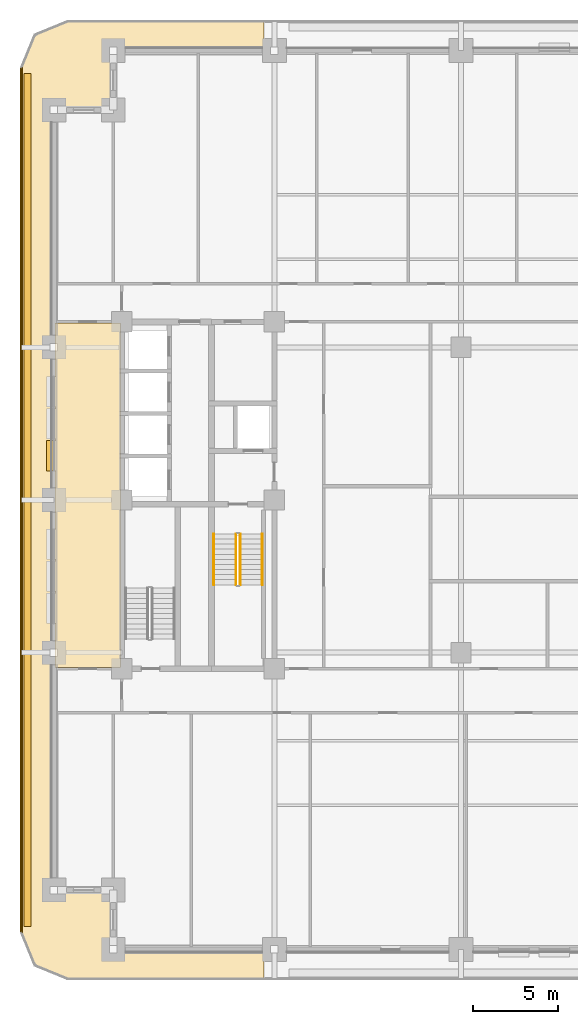
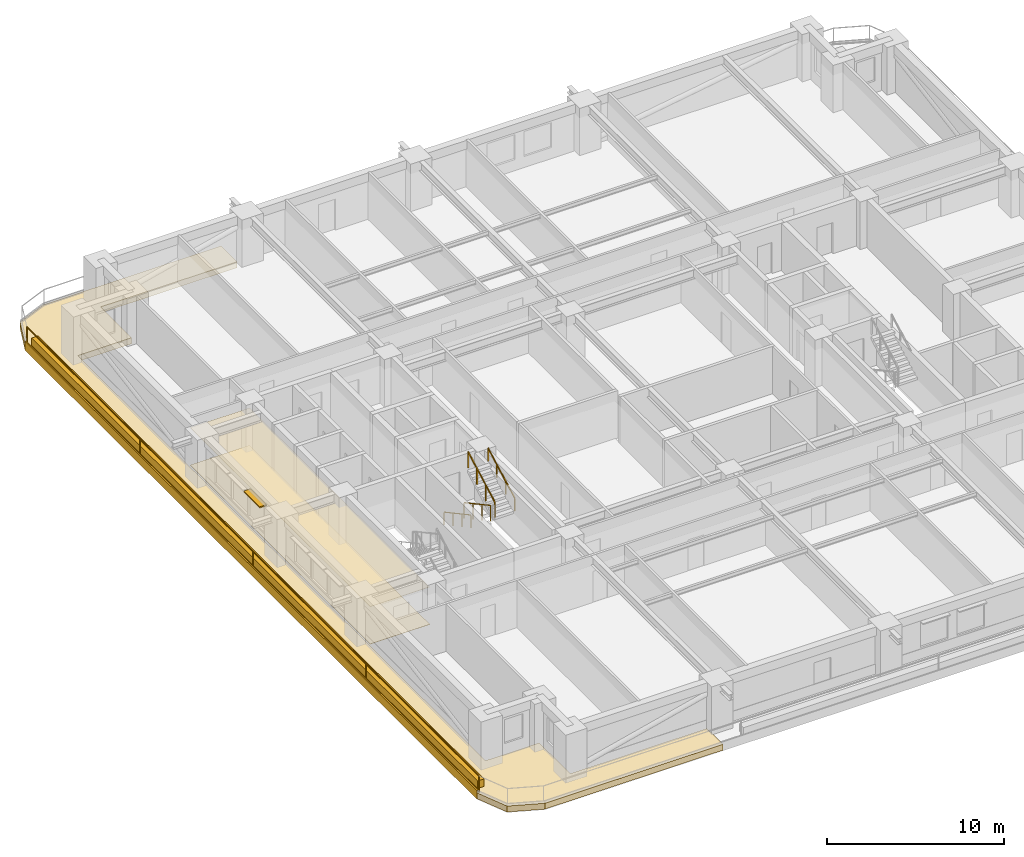
# One storey, part 9 of 14: 5 coverings, 5 railings, 1 shading device.
"""IFC4 building model written with IfcOpenShell, lengths in metres."""

from ifc_helpers import new_model, si_unit, direction, frame, frame_2d, origin, origin_2d, place, context, subcontext, project, spatial, polyline, rectangle, outline, extrude, material, layer, layer_set, type_object, element, save


model = new_model("IFC4")

# Units and contexts
model_context = context("Model", 3, precision=1e-05, world=origin(), true_north=direction((0.0, 1.0)))
body_context = subcontext(model_context, "Body", "Model", "MODEL_VIEW")
ifc_project = project(units=[si_unit("LENGTHUNIT", "METRE"), si_unit("AREAUNIT", "SQUARE_METRE"), si_unit("VOLUMEUNIT", "CUBIC_METRE"), si_unit("PLANEANGLEUNIT", "RADIAN"), si_unit("MASSUNIT", "GRAM", prefix="KILO")], contexts=[model_context])

# Site, building, storey
site_placement = place(None, origin())
site = spatial("IfcSite", under=ifc_project, at=site_placement, CompositionType="ELEMENT")
building_placement = place(site_placement, origin())
building = spatial("IfcBuilding", under=site, at=building_placement, Name="Zulmaris Gate Convention Tower", CompositionType="ELEMENT")
storey_placement = place(building_placement, frame((0.0, 0.0, 30.77001953125)))
storey = spatial("IfcBuildingStorey", under=building, at=storey_placement, Name="L06", CompositionType="ELEMENT", Elevation=30.77001953125)

# Coverings
ifc_material_1 = material(Name="White Glazed Architectural Precast Concrete C40/50", Category="concrete")
ifc_layer_1 = layer(ifc_material_1, 0.239990234375, Name="White Glazed Architectural Precast Concrete C40/50")
ifc_layer_set_1 = layer_set([ifc_layer_1], Name="White Glazed Architectural Precast Concrete C40/50")
covering_type_1 = type_object("IfcCoveringType", Name="CLAD-TRAY-DECK", PredefinedType="CLADDING", material=ifc_layer_set_1)
covering_1_placement = place(storey_placement, frame((0.0, 0.0, -0.449951171875)))
element("IfcCovering", 1, at=covering_1_placement, inside=storey, type_object=covering_type_1, Name="L06 West Rounded-Fascia Planter Tray Deck", PredefinedType="CLADDING", context=body_context, shape_type="SweptSolid", body=[
    extrude(outline(polyline([(-26.0, 25.5), (-25.179931640625, 27.47998046875), (-23.199951171875, 28.300048828125), (-11.60205078125, 28.300048828125), (-11.60205078125, 26.5), (-20.5, 26.5), (-20.5, 23.0), (-24.0, 23.0), (-24.0, -23.0), (-20.5, -23.0), (-20.5, -26.5), (-11.60205078125, -26.5), (-11.60205078125, -28.300048828125), (-23.199951171875, -28.300048828125), (-25.179931640625, -27.47998046875), (-26.0, -25.5), (-26.0, 25.5)])), origin(), (0.0, 0.0, 1.0), 0.409912109375),
])
ifc_layer_2 = layer(ifc_material_1, 0.080078125, Name="White Glazed Architectural Precast Concrete C40/50")
ifc_layer_set_2 = layer_set([ifc_layer_2], Name="White Glazed Architectural Precast Concrete C40/50")
covering_type_2 = type_object("IfcCoveringType", Name="CLAD-TRAY-FASCIA", PredefinedType="CLADDING", material=ifc_layer_set_2)
covering_2_placement = place(storey_placement, frame((-25.9599609375, 25.5, -0.489990234375), z_axis=(0.0, 0.0, 1.0), x_axis=(0.0, -1.0, 0.0)))
element("IfcCovering", 2, at=covering_2_placement, inside=storey, type_object=covering_type_2, Name="FSC-L06-TR-11", PredefinedType="CLADDING", context=body_context, shape_type="SweptSolid", body=[
    extrude(rectangle(XDim=51.0, YDim=0.080078125, at=frame_2d((25.5, 0.0))), origin(), (0.0, 0.0, 1.0), 0.60986328125),
])
ifc_material_2 = material(Name="Mineral Fibre Acoustic Ceiling Tile")
ifc_layer_3 = layer(ifc_material_2, 0.02001953125, Name="Mineral Fibre Acoustic Ceiling Tile")
ifc_layer_set_3 = layer_set([ifc_layer_3], Name="Mineral Fibre Acoustic Ceiling Tile")
covering_type_3 = type_object("IfcCoveringType", Name="CLG-ACOUSTIC-600", PredefinedType="CEILING", material=ifc_layer_set_3)
covering_3_placement = place(storey_placement, frame((0.0, 0.0, 2.578125)))
element("IfcCovering", 3, at=covering_3_placement, inside=storey, type_object=covering_type_3, Name="CLG-L06-R50", PredefinedType="CEILING", context=body_context, shape_type="SweptSolid", body=[
    extrude(outline(polyline([(-23.93994140625, -9.889892578125), (-20.06005859375, -9.889892578125), (-20.06005859375, 10.43994140625), (-23.93994140625, 10.43994140625), (-23.93994140625, -9.889892578125)])), origin(), (0.0, 0.0, 1.0), 0.02001953125),
])
ifc_material_3 = material(Name="Woven Acoustic Wool Carpet Tile")
ifc_layer_4 = layer(ifc_material_3, 0.02001953125, Name="Woven Acoustic Wool Carpet Tile")
ifc_layer_set_4 = layer_set([ifc_layer_4], Name="Woven Acoustic Wool Carpet Tile")
covering_type_4 = type_object("IfcCoveringType", Name="FLR-CARPET-12", PredefinedType="FLOORING", material=ifc_layer_set_4)
covering_4_placement = place(storey_placement, origin())
element("IfcCovering", 4, at=covering_4_placement, inside=storey, type_object=covering_type_4, Name="FLR-L06-R50", PredefinedType="FLOORING", context=body_context, shape_type="SweptSolid", body=[
    extrude(outline(polyline([(-23.93994140625, -9.889892578125), (-20.06005859375, -9.889892578125), (-20.06005859375, 10.43994140625), (-23.93994140625, 10.43994140625), (-23.93994140625, -9.889892578125)])), origin(), (0.0, 0.0, 1.0), 0.02001953125),
])
ifc_material_4 = material(Name="Botanical Green Glazed Precast Concrete C40/50", Category="concrete")
ifc_layer_5 = layer(ifc_material_4, 0.419921875, Name="Botanical Green Glazed Precast Concrete C40/50")
ifc_layer_set_5 = layer_set([ifc_layer_5], Name="Botanical Green Glazed Precast Concrete C40/50")
covering_type_5 = type_object("IfcCoveringType", Name="PLANTER-BOX-200", PredefinedType="CLADDING", material=ifc_layer_set_5)
covering_5_placement = place(storey_placement, frame((0.0, 0.0, -0.0400390625)))
element("IfcCovering", 5, at=covering_5_placement, inside=storey, type_object=covering_type_5, Name="L06 W Full-Length Balcony Tree Planter Trough", PredefinedType="CLADDING", context=body_context, shape_type="SweptSolid", body=[
    extrude(outline(polyline([(-25.760009765625, -25.14990234375), (-25.340087890625, -25.14990234375), (-25.340087890625, 25.14990234375), (-25.760009765625, 25.14990234375), (-25.760009765625, -25.14990234375)])), origin(), (0.0, 0.0, 1.0), 0.52001953125),
])

# Railings
ifc_material_5 = material(Name="Laminated Glass and Stainless Steel", Category="steel")
railing_type_1 = type_object("IfcRailingType", Name="RL-BALC-1150", PredefinedType="BALUSTRADE", material=ifc_material_5)
railing_1_placement = place(storey_placement, frame((-25.8798828125, 25.5, -0.0400390625)))
element("IfcRailing", 6, at=railing_1_placement, inside=storey, type_object=railing_type_1, Name="RL-L06-BALC-W", PredefinedType="BALUSTRADE", context=body_context, shape_type="SweptSolid", body=[
    extrude(rectangle(XDim=0.048095703125, YDim=0.048095703125, at=origin_2d()), frame((0.0, 0.0, 1.1259765625), z_axis=(0.0, -1.0, 0.0), x_axis=(1.0, 0.0, 0.0)), (0.0, 0.0, 1.0), 51.0),
    extrude(rectangle(XDim=0.048095703125, YDim=0.048095703125, at=origin_2d()), frame((0.0, 0.0, 0.02392578125), z_axis=(0.0, -1.0, 0.0), x_axis=(1.0, 0.0, 0.0)), (0.0, 0.0, 1.0), 51.0),
    extrude(rectangle(XDim=0.0419921875, YDim=0.0419921875, at=origin_2d()), origin(), (0.0, 0.0, 1.0), 1.101806640625),
    extrude(rectangle(XDim=0.0419921875, YDim=0.0419921875, at=origin_2d()), frame((0.0, -12.75, 0.0)), (0.0, 0.0, 1.0), 1.101806640625),
    extrude(rectangle(XDim=0.0419921875, YDim=0.0419921875, at=origin_2d()), frame((0.0, -25.5, 0.0)), (0.0, 0.0, 1.0), 1.101806640625),
    extrude(rectangle(XDim=0.0419921875, YDim=0.0419921875, at=origin_2d()), frame((0.0, -38.25, 0.0)), (0.0, 0.0, 1.0), 1.101806640625),
    extrude(rectangle(XDim=0.0419921875, YDim=0.0419921875, at=origin_2d()), frame((0.0, -51.0, 0.0)), (0.0, 0.0, 1.0), 1.101806640625),
])
ifc_material_6 = material(Name="Painted Galvanised Steel", Category="steel")
railing_type_2 = type_object("IfcRailingType", Name="RL-STG-1150", PredefinedType="GUARDRAIL", material=ifc_material_6)
railing_2_placement = place(storey_placement, frame((-13.27001953125, -2.0, 0.162353515625)))
element("IfcRailing", 7, at=railing_2_placement, inside=storey, type_object=railing_type_2, Name="L06 ST-1 stair guard 1", PredefinedType="GUARDRAIL", context=body_context, shape_type="SweptSolid", body=[
    extrude(rectangle(XDim=0.048095703125, YDim=0.048095703125, at=origin_2d()), frame((0.0, 0.0, 1.076171875), z_axis=(0.0, -0.879591569277, 0.475729619907), x_axis=(1.0, 0.0, 0.0)), (0.0, 0.0, 1.0), 3.41064453125),
    extrude(rectangle(XDim=0.0419921875, YDim=0.0419921875, at=origin_2d()), origin(), (0.0, 0.0, 1.0), 1.052001953125),
    extrude(rectangle(XDim=0.0419921875, YDim=0.0419921875, at=origin_2d()), frame((0.0, -1.0, 0.540771484375)), (0.0, 0.0, 1.0), 1.052001953125),
    extrude(rectangle(XDim=0.0419921875, YDim=0.0419921875, at=origin_2d()), frame((0.0, -2.0, 1.081787109375)), (0.0, 0.0, 1.0), 1.052001953125),
    extrude(rectangle(XDim=0.0419921875, YDim=0.0419921875, at=origin_2d()), frame((0.0, -3.0, 1.62255859375)), (0.0, 0.0, 1.0), 1.052001953125),
])
railing_3_placement = place(storey_placement, frame((-13.010009765625, -5.0, 1.947265625)))
element("IfcRailing", 8, at=railing_3_placement, inside=storey, type_object=railing_type_2, Name="L06 ST-1 stair guard 3", PredefinedType="GUARDRAIL", context=body_context, shape_type="SweptSolid", body=[
    extrude(rectangle(XDim=0.048095703125, YDim=0.048095703125, at=origin_2d()), frame((0.0, 0.0, 1.076171875), z_axis=(0.0, 0.8795616155, 0.475784998228), x_axis=(-1.0, 0.0, 0.0)), (0.0, 0.0, 1.0), 3.410888671875),
    extrude(rectangle(XDim=0.0419921875, YDim=0.0419921875, at=origin_2d()), origin(), (0.0, 0.0, 1.0), 1.052001953125),
    extrude(rectangle(XDim=0.0419921875, YDim=0.0419921875, at=origin_2d()), frame((0.0, 1.0, 0.541015625)), (0.0, 0.0, 1.0), 1.052001953125),
    extrude(rectangle(XDim=0.0419921875, YDim=0.0419921875, at=origin_2d()), frame((0.0, 2.0, 1.081787109375)), (0.0, 0.0, 1.0), 1.052001953125),
    extrude(rectangle(XDim=0.0419921875, YDim=0.0419921875, at=origin_2d()), frame((0.0, 3.0, 1.622802734375)), (0.0, 0.0, 1.0), 1.052001953125),
])
ifc_material_7 = material(Name="Brushed Stainless Steel", Category="steel")
railing_type_3 = type_object("IfcRailingType", Name="RL-STH-900", PredefinedType="HANDRAIL", material=ifc_material_7)
railing_4_placement = place(storey_placement, frame((-14.570068359375, -2.0, 0.162353515625)))
element("IfcRailing", 9, at=railing_4_placement, inside=storey, type_object=railing_type_3, Name="L06 ST-1 stair handrail 1", PredefinedType="HANDRAIL", context=body_context, shape_type="SweptSolid", body=[
    extrude(rectangle(XDim=0.048095703125, YDim=0.048095703125, at=origin_2d()), frame((0.0, 0.0, 0.8759765625), z_axis=(0.0, -0.879591569277, 0.475729619907), x_axis=(1.0, 0.0, 0.0)), (0.0, 0.0, 1.0), 3.41064453125),
    extrude(rectangle(XDim=0.0419921875, YDim=0.0419921875, at=origin_2d()), origin(), (0.0, 0.0, 1.0), 0.851806640625),
    extrude(rectangle(XDim=0.0419921875, YDim=0.0419921875, at=origin_2d()), frame((0.0, -1.0, 0.540771484375)), (0.0, 0.0, 1.0), 0.851806640625),
    extrude(rectangle(XDim=0.0419921875, YDim=0.0419921875, at=origin_2d()), frame((0.0, -2.0, 1.081787109375)), (0.0, 0.0, 1.0), 0.851806640625),
    extrude(rectangle(XDim=0.0419921875, YDim=0.0419921875, at=origin_2d()), frame((0.0, -3.0, 1.62255859375)), (0.0, 0.0, 1.0), 0.851806640625),
])
railing_5_placement = place(storey_placement, frame((-11.7099609375, -5.0, 1.947265625)))
element("IfcRailing", 10, at=railing_5_placement, inside=storey, type_object=railing_type_3, Name="L06 ST-1 stair handrail 2", PredefinedType="HANDRAIL", context=body_context, shape_type="SweptSolid", body=[
    extrude(rectangle(XDim=0.048095703125, YDim=0.048095703125, at=origin_2d()), frame((0.0, 0.0, 0.8759765625), z_axis=(0.0, 0.8795616155, 0.475784998228), x_axis=(-1.0, 0.0, 0.0)), (0.0, 0.0, 1.0), 3.410888671875),
    extrude(rectangle(XDim=0.0419921875, YDim=0.0419921875, at=origin_2d()), origin(), (0.0, 0.0, 1.0), 0.851806640625),
    extrude(rectangle(XDim=0.0419921875, YDim=0.0419921875, at=origin_2d()), frame((0.0, 1.0, 0.541015625)), (0.0, 0.0, 1.0), 0.851806640625),
    extrude(rectangle(XDim=0.0419921875, YDim=0.0419921875, at=origin_2d()), frame((0.0, 2.0, 1.081787109375)), (0.0, 0.0, 1.0), 0.851806640625),
    extrude(rectangle(XDim=0.0419921875, YDim=0.0419921875, at=origin_2d()), frame((0.0, 3.0, 1.622802734375)), (0.0, 0.0, 1.0), 0.851806640625),
])

# Shading device
ifc_material_8 = material(Name="Glazed Ceramic Terracotta", Category="masonry")
ifc_layer_6 = layer(ifc_material_8, 0.070068359375, Name="Glazed Ceramic Terracotta")
ifc_layer_set_6 = layer_set([ifc_layer_6], Name="Glazed Ceramic Terracotta")
shading_device_type = type_object("IfcShadingDeviceType", Name="SHD-SUNSHADE-TC", PredefinedType="AWNING", material=ifc_layer_set_6)
shading_device_placement = place(storey_placement, frame((-24.219970703125, 3.514892578125, 2.530029296875), z_axis=(0.0, 0.0, 1.0), x_axis=(0.0, -1.0, 0.0)))
element("IfcShadingDevice", 11, at=shading_device_placement, inside=storey, type_object=shading_device_type, Name="SHD-EW-L06-W-2_0-3", PredefinedType="AWNING", context=body_context, shape_type="SweptSolid", body=[
    extrude(rectangle(XDim=1.7998046875, YDim=0.43994140625, at=frame_2d((0.89990234375, 0.0))), origin(), (0.0, 0.0, 1.0), 0.070068359375),
])

save(model, "model.ifc")
